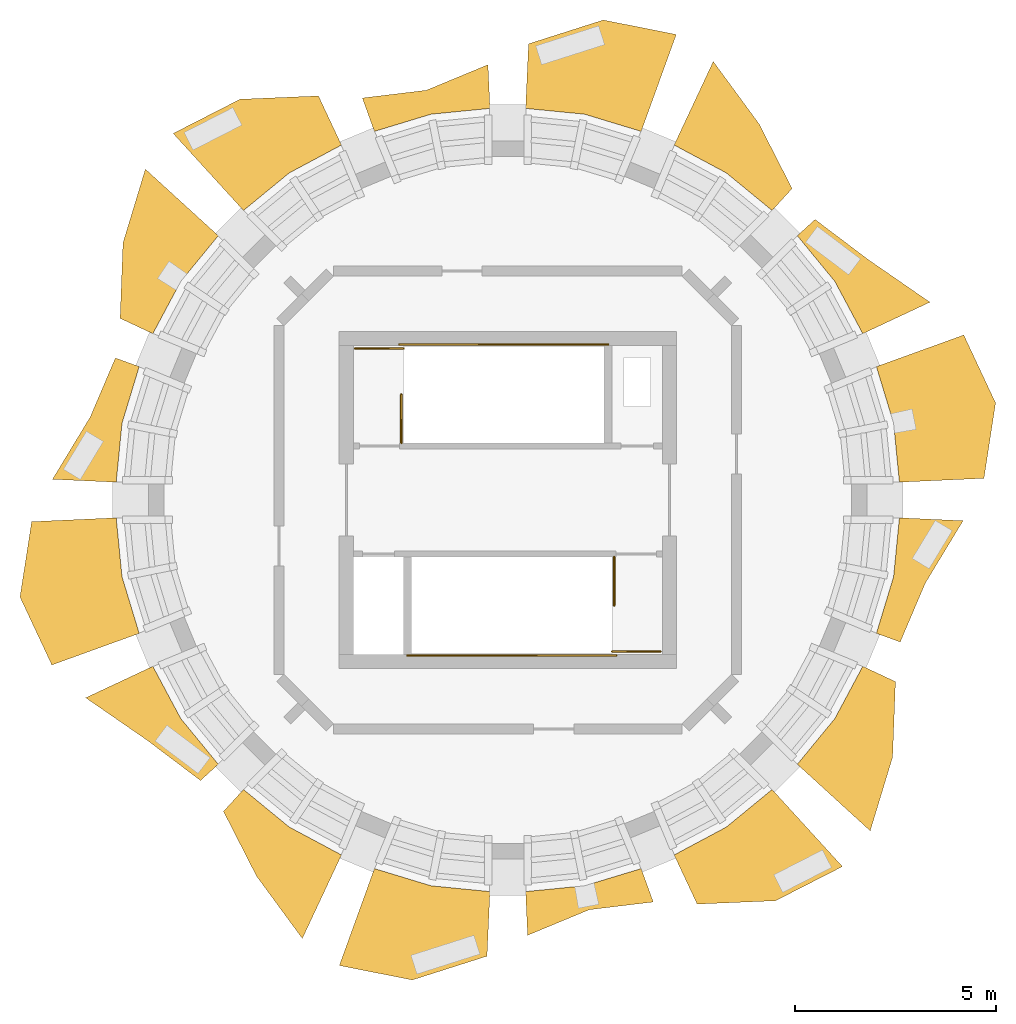
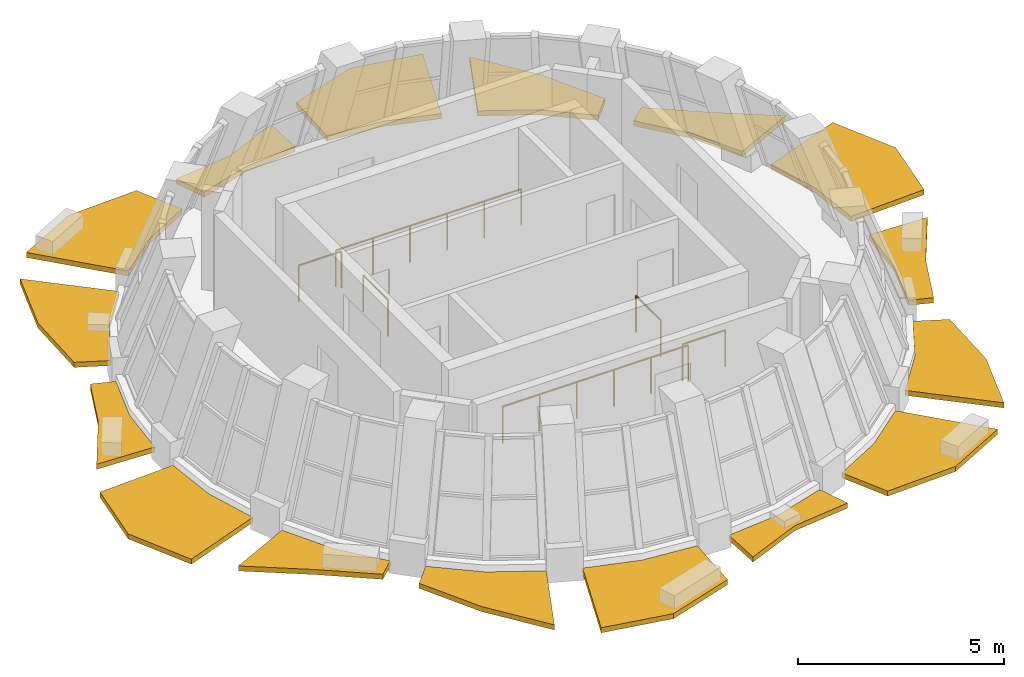
# One storey, part 7 of 8: 16 shading devices, 6 railings.
"""IFC4 building model written with IfcOpenShell, lengths in metres."""

from ifc_helpers import new_model, si_unit, direction, frame, origin, origin_2d, place, context, subcontext, project, spatial, polyline, circle, outline, extrude, material, type_object, element, save


model = new_model("IFC4")

# Units and contexts
model_context = context("Model", 3, precision=1e-05, world=origin(), true_north=direction((0.0, 1.0)))
body_context = subcontext(model_context, "Body", "Model", "MODEL_VIEW")
ifc_project = project(units=[si_unit("LENGTHUNIT", "METRE"), si_unit("AREAUNIT", "SQUARE_METRE"), si_unit("VOLUMEUNIT", "CUBIC_METRE"), si_unit("PLANEANGLEUNIT", "RADIAN"), si_unit("MASSUNIT", "GRAM", prefix="KILO")], contexts=[model_context])

# Site, building, storey
site_placement = place(None, origin())
site = spatial("IfcSite", under=ifc_project, at=site_placement, CompositionType="ELEMENT")
building_placement = place(site_placement, origin())
building = spatial("IfcBuilding", under=site, at=building_placement, Name="Polderwave Tower", CompositionType="ELEMENT")
storey_placement = place(building_placement, frame((0.0, 0.0, 244.39990234375)))
storey = spatial("IfcBuildingStorey", under=building, at=storey_placement, Name="L66", CompositionType="ELEMENT", Elevation=244.39990234375)

# Railings
ifc_material_1 = material(Name="Stainless steel", Category="steel")
railing_type = type_object("IfcRailingType", Name="Stair guard 1100", PredefinedType="GUARDRAIL", material=ifc_material_1)
railing_1_placement = place(storey_placement, frame((-2.64990234375, 1.425048828125, 0.0)))
element("IfcRailing", 1, at=railing_1_placement, inside=storey, type_object=railing_type, Name="L66 ST-S1 top well guard 1", PredefinedType="GUARDRAIL", context=body_context, shape_type="SweptSolid", body=[
    extrude(circle(Radius=0.02392578125, at=origin_2d()), frame((0.0, 0.0, 1.076171875), z_axis=(0.0, 1.0, 0.0), x_axis=(-1.0, 0.0, 0.0)), (0.0, 0.0, 1.0), 1.199951171875),
    extrude(circle(Radius=0.02099609375, at=origin_2d()), origin(), (0.0, 0.0, 1.0), 1.052001953125),
    extrude(circle(Radius=0.02099609375, at=origin_2d()), frame((0.0, 1.199951171875, 0.0)), (0.0, 0.0, 1.0), 1.052001953125),
])
railing_2_placement = place(storey_placement, frame((-2.699951171875, 3.875, 0.0)))
element("IfcRailing", 2, at=railing_2_placement, inside=storey, type_object=railing_type, Name="L66 ST-S1 top well guard 2", PredefinedType="GUARDRAIL", context=body_context, shape_type="SweptSolid", body=[
    extrude(circle(Radius=0.02392578125, at=origin_2d()), frame((0.0, 0.0, 1.076171875), z_axis=(1.0, 0.0, 0.0), x_axis=(0.0, 1.0, 0.0)), (0.0, 0.0, 1.0), 5.199951171875),
    extrude(circle(Radius=0.02099609375, at=origin_2d()), origin(), (0.0, 0.0, 1.0), 1.052001953125),
    extrude(circle(Radius=0.02099609375, at=origin_2d()), frame((1.0400390625, 0.0, 0.0)), (0.0, 0.0, 1.0), 1.052001953125),
    extrude(circle(Radius=0.02099609375, at=origin_2d()), frame((2.080078125, 0.0, 0.0)), (0.0, 0.0, 1.0), 1.052001953125),
    extrude(circle(Radius=0.02099609375, at=origin_2d()), frame((3.119873046875, 0.0, 0.0)), (0.0, 0.0, 1.0), 1.052001953125),
    extrude(circle(Radius=0.02099609375, at=origin_2d()), frame((4.159912109375, 0.0, 0.0)), (0.0, 0.0, 1.0), 1.052001953125),
    extrude(circle(Radius=0.02099609375, at=origin_2d()), frame((5.199951171875, 0.0, 0.0)), (0.0, 0.0, 1.0), 1.052001953125),
])
railing_3_placement = place(storey_placement, frame((-3.800048828125, 3.77490234375, 0.0)))
element("IfcRailing", 3, at=railing_3_placement, inside=storey, type_object=railing_type, Name="L66 ST-S1 top well guard 3", PredefinedType="GUARDRAIL", context=body_context, shape_type="SweptSolid", body=[
    extrude(circle(Radius=0.02392578125, at=origin_2d()), frame((0.0, 0.0, 1.076171875), z_axis=(1.0, 0.0, 0.0), x_axis=(0.0, 1.0, 0.0)), (0.0, 0.0, 1.0), 1.199951171875),
    extrude(circle(Radius=0.02099609375, at=origin_2d()), origin(), (0.0, 0.0, 1.0), 1.052001953125),
    extrude(circle(Radius=0.02099609375, at=origin_2d()), frame((1.199951171875, 0.0, 0.0)), (0.0, 0.0, 1.0), 1.052001953125),
])
railing_4_placement = place(storey_placement, frame((2.64990234375, -1.425048828125, 0.0)))
element("IfcRailing", 4, at=railing_4_placement, inside=storey, type_object=railing_type, Name="L66 ST-S2 top well guard 1", PredefinedType="GUARDRAIL", context=body_context, shape_type="SweptSolid", body=[
    extrude(circle(Radius=0.02392578125, at=origin_2d()), frame((0.0, 0.0, 1.076171875), z_axis=(0.0, -1.0, 0.0), x_axis=(1.0, 0.0, 0.0)), (0.0, 0.0, 1.0), 1.199951171875),
    extrude(circle(Radius=0.02099609375, at=origin_2d()), origin(), (0.0, 0.0, 1.0), 1.052001953125),
    extrude(circle(Radius=0.02099609375, at=origin_2d()), frame((0.0, -1.199951171875, 0.0)), (0.0, 0.0, 1.0), 1.052001953125),
])
railing_5_placement = place(storey_placement, frame((2.699951171875, -3.875, 0.0)))
element("IfcRailing", 5, at=railing_5_placement, inside=storey, type_object=railing_type, Name="L66 ST-S2 top well guard 2", PredefinedType="GUARDRAIL", context=body_context, shape_type="SweptSolid", body=[
    extrude(circle(Radius=0.02392578125, at=origin_2d()), frame((0.0, 0.0, 1.076171875), z_axis=(-1.0, 0.0, 0.0), x_axis=(0.0, -1.0, 0.0)), (0.0, 0.0, 1.0), 5.199951171875),
    extrude(circle(Radius=0.02099609375, at=origin_2d()), origin(), (0.0, 0.0, 1.0), 1.052001953125),
    extrude(circle(Radius=0.02099609375, at=origin_2d()), frame((-1.0400390625, 0.0, 0.0)), (0.0, 0.0, 1.0), 1.052001953125),
    extrude(circle(Radius=0.02099609375, at=origin_2d()), frame((-2.080078125, 0.0, 0.0)), (0.0, 0.0, 1.0), 1.052001953125),
    extrude(circle(Radius=0.02099609375, at=origin_2d()), frame((-3.119873046875, 0.0, 0.0)), (0.0, 0.0, 1.0), 1.052001953125),
    extrude(circle(Radius=0.02099609375, at=origin_2d()), frame((-4.159912109375, 0.0, 0.0)), (0.0, 0.0, 1.0), 1.052001953125),
    extrude(circle(Radius=0.02099609375, at=origin_2d()), frame((-5.199951171875, 0.0, 0.0)), (0.0, 0.0, 1.0), 1.052001953125),
])
railing_6_placement = place(storey_placement, frame((3.800048828125, -3.77490234375, 0.0)))
element("IfcRailing", 6, at=railing_6_placement, inside=storey, type_object=railing_type, Name="L66 ST-S2 top well guard 3", PredefinedType="GUARDRAIL", context=body_context, shape_type="SweptSolid", body=[
    extrude(circle(Radius=0.02392578125, at=origin_2d()), frame((0.0, 0.0, 1.076171875), z_axis=(-1.0, 0.0, 0.0), x_axis=(0.0, -1.0, 0.0)), (0.0, 0.0, 1.0), 1.199951171875),
    extrude(circle(Radius=0.02099609375, at=origin_2d()), origin(), (0.0, 0.0, 1.0), 1.052001953125),
    extrude(circle(Radius=0.02099609375, at=origin_2d()), frame((-1.199951171875, 0.0, 0.0)), (0.0, 0.0, 1.0), 1.052001953125),
])

# Shading devices
ifc_material_2 = material(Name="Terracotta", Category="masonry")
shading_device_type = type_object("IfcShadingDeviceType", Name="Terracotta sunshade band", PredefinedType="USERDEFINED", material=ifc_material_2)
shading_device_1_placement = place(storey_placement, frame((0.0, 0.0, -0.349853515625)))
element("IfcShadingDevice", 7, at=shading_device_1_placement, inside=storey, type_object=shading_device_type, Name="Sunshade band L66 1", ObjectType="SUNSHADE", PredefinedType="USERDEFINED", context=body_context, shape_type="SweptSolid", body=[
    extrude(outline(polyline([(9.75634765625, 0.44384765625), (9.61181640625, 1.911865234375), (9.18359375, 3.323486328125), (11.360107421875, 4.111083984375), (12.1533203125, 2.41748046875), (11.863525390625, 0.539794921875), (9.75634765625, 0.44384765625)])), origin(), (0.0, 0.0, 1.0), 0.14990234375),
])
shading_device_2_placement = place(storey_placement, frame((0.0, 0.0, -0.349853515625)))
element("IfcShadingDevice", 8, at=shading_device_2_placement, inside=storey, type_object=shading_device_type, Name="Sunshade band L66 2", ObjectType="SUNSHADE", PredefinedType="USERDEFINED", context=body_context, shape_type="SweptSolid", body=[
    extrude(outline(polyline([(8.84375, 4.1435546875), (8.1484375, 5.444580078125), (7.212646484375, 6.5849609375), (7.65576171875, 6.989501953125), (8.97265625, 5.995361328125), (10.517333984375, 4.927734375), (8.84375, 4.1435546875)])), origin(), (0.0, 0.0, 1.0), 0.14990234375),
])
shading_device_3_placement = place(storey_placement, frame((0.0, 0.0, -0.349853515625)))
element("IfcShadingDevice", 9, at=shading_device_3_placement, inside=storey, type_object=shading_device_type, Name="Sunshade band L66 3", ObjectType="SUNSHADE", PredefinedType="USERDEFINED", context=body_context, shape_type="SweptSolid", body=[
    extrude(outline(polyline([(6.5849609375, 7.212646484375), (5.444580078125, 8.1484375), (4.1435546875, 8.84375), (5.119140625, 10.92578125), (6.260986328125, 9.3701171875), (7.08349609375, 7.7587890625), (6.5849609375, 7.212646484375)])), origin(), (0.0, 0.0, 1.0), 0.14990234375),
])
shading_device_4_placement = place(storey_placement, frame((0.0, 0.0, -0.349853515625)))
element("IfcShadingDevice", 10, at=shading_device_4_placement, inside=storey, type_object=shading_device_type, Name="Sunshade band L66 4", ObjectType="SUNSHADE", PredefinedType="USERDEFINED", context=body_context, shape_type="SweptSolid", body=[
    extrude(outline(polyline([(3.323486328125, 9.18359375), (1.911865234375, 9.61181640625), (0.44384765625, 9.75634765625), (0.51708984375, 11.365478515625), (2.37890625, 11.958984375), (4.197509765625, 11.598876953125), (3.323486328125, 9.18359375)])), origin(), (0.0, 0.0, 1.0), 0.14990234375),
])
shading_device_5_placement = place(storey_placement, frame((0.0, 0.0, -0.349853515625)))
element("IfcShadingDevice", 11, at=shading_device_5_placement, inside=storey, type_object=shading_device_type, Name="Sunshade band L66 5", ObjectType="SUNSHADE", PredefinedType="USERDEFINED", context=body_context, shape_type="SweptSolid", body=[
    extrude(outline(polyline([(-0.44384765625, 9.75634765625), (-1.911865234375, 9.61181640625), (-3.323486328125, 9.18359375), (-3.624755859375, 10.015869140625), (-2.030517578125, 10.20849609375), (-0.493408203125, 10.845703125), (-0.44384765625, 9.75634765625)])), origin(), (0.0, 0.0, 1.0), 0.14990234375),
])
shading_device_6_placement = place(storey_placement, frame((0.0, 0.0, -0.349853515625)))
element("IfcShadingDevice", 12, at=shading_device_6_placement, inside=storey, type_object=shading_device_type, Name="Sunshade band L66 6", ObjectType="SUNSHADE", PredefinedType="USERDEFINED", context=body_context, shape_type="SweptSolid", body=[
    extrude(outline(polyline([(-4.1435546875, 8.84375), (-5.444580078125, 8.1484375), (-6.5849609375, 7.212646484375), (-8.337890625, 9.1328125), (-6.671630859375, 9.98486328125), (-4.71728515625, 10.06787109375), (-4.1435546875, 8.84375)])), origin(), (0.0, 0.0, 1.0), 0.14990234375),
])
shading_device_7_placement = place(storey_placement, frame((0.0, 0.0, -0.349853515625)))
element("IfcShadingDevice", 13, at=shading_device_7_placement, inside=storey, type_object=shading_device_type, Name="Sunshade band L66 7", ObjectType="SUNSHADE", PredefinedType="USERDEFINED", context=body_context, shape_type="SweptSolid", body=[
    extrude(outline(polyline([(-7.212646484375, 6.5849609375), (-8.1484375, 5.444580078125), (-8.84375, 4.1435546875), (-9.659423828125, 4.52587890625), (-9.58740234375, 6.406005859375), (-9.02978515625, 8.243896484375), (-7.212646484375, 6.5849609375)])), origin(), (0.0, 0.0, 1.0), 0.14990234375),
])
shading_device_8_placement = place(storey_placement, frame((0.0, 0.0, -0.349853515625)))
element("IfcShadingDevice", 14, at=shading_device_8_placement, inside=storey, type_object=shading_device_type, Name="Sunshade band L66 8", ObjectType="SUNSHADE", PredefinedType="USERDEFINED", context=body_context, shape_type="SweptSolid", body=[
    extrude(outline(polyline([(-9.18359375, 3.323486328125), (-9.61181640625, 1.911865234375), (-9.75634765625, 0.44384765625), (-11.34375, 0.51611328125), (-10.40283203125, 2.0693359375), (-9.777099609375, 3.538330078125), (-9.18359375, 3.323486328125)])), origin(), (0.0, 0.0, 1.0), 0.14990234375),
])
shading_device_9_placement = place(storey_placement, frame((0.0, 0.0, -0.349853515625)))
element("IfcShadingDevice", 15, at=shading_device_9_placement, inside=storey, type_object=shading_device_type, Name="Sunshade band L66 9", ObjectType="SUNSHADE", PredefinedType="USERDEFINED", context=body_context, shape_type="SweptSolid", body=[
    extrude(outline(polyline([(-9.75634765625, -0.44384765625), (-9.61181640625, -1.911865234375), (-9.18359375, -3.323486328125), (-11.360107421875, -4.111083984375), (-12.1533203125, -2.41748046875), (-11.863525390625, -0.539794921875), (-9.75634765625, -0.44384765625)])), origin(), (0.0, 0.0, 1.0), 0.14990234375),
])
shading_device_10_placement = place(storey_placement, frame((0.0, 0.0, -0.349853515625)))
element("IfcShadingDevice", 16, at=shading_device_10_placement, inside=storey, type_object=shading_device_type, Name="Sunshade band L66 10", ObjectType="SUNSHADE", PredefinedType="USERDEFINED", context=body_context, shape_type="SweptSolid", body=[
    extrude(outline(polyline([(-8.84375, -4.1435546875), (-8.1484375, -5.444580078125), (-7.212646484375, -6.5849609375), (-7.65576171875, -6.989501953125), (-8.97265625, -5.995361328125), (-10.517333984375, -4.927734375), (-8.84375, -4.1435546875)])), origin(), (0.0, 0.0, 1.0), 0.14990234375),
])
shading_device_11_placement = place(storey_placement, frame((0.0, 0.0, -0.349853515625)))
element("IfcShadingDevice", 17, at=shading_device_11_placement, inside=storey, type_object=shading_device_type, Name="Sunshade band L66 11", ObjectType="SUNSHADE", PredefinedType="USERDEFINED", context=body_context, shape_type="SweptSolid", body=[
    extrude(outline(polyline([(-6.5849609375, -7.212646484375), (-5.444580078125, -8.1484375), (-4.1435546875, -8.84375), (-5.119140625, -10.92578125), (-6.260986328125, -9.3701171875), (-7.08349609375, -7.7587890625), (-6.5849609375, -7.212646484375)])), origin(), (0.0, 0.0, 1.0), 0.14990234375),
])
shading_device_12_placement = place(storey_placement, frame((0.0, 0.0, -0.349853515625)))
element("IfcShadingDevice", 18, at=shading_device_12_placement, inside=storey, type_object=shading_device_type, Name="Sunshade band L66 12", ObjectType="SUNSHADE", PredefinedType="USERDEFINED", context=body_context, shape_type="SweptSolid", body=[
    extrude(outline(polyline([(-3.323486328125, -9.18359375), (-1.911865234375, -9.61181640625), (-0.44384765625, -9.75634765625), (-0.51708984375, -11.365478515625), (-2.37890625, -11.958984375), (-4.197509765625, -11.598876953125), (-3.323486328125, -9.18359375)])), origin(), (0.0, 0.0, 1.0), 0.14990234375),
])
shading_device_13_placement = place(storey_placement, frame((0.0, 0.0, -0.349853515625)))
element("IfcShadingDevice", 19, at=shading_device_13_placement, inside=storey, type_object=shading_device_type, Name="Sunshade band L66 13", ObjectType="SUNSHADE", PredefinedType="USERDEFINED", context=body_context, shape_type="SweptSolid", body=[
    extrude(outline(polyline([(0.44384765625, -9.75634765625), (1.911865234375, -9.61181640625), (3.323486328125, -9.18359375), (3.624755859375, -10.015869140625), (2.030517578125, -10.20849609375), (0.493408203125, -10.845703125), (0.44384765625, -9.75634765625)])), origin(), (0.0, 0.0, 1.0), 0.14990234375),
])
shading_device_14_placement = place(storey_placement, frame((0.0, 0.0, -0.349853515625)))
element("IfcShadingDevice", 20, at=shading_device_14_placement, inside=storey, type_object=shading_device_type, Name="Sunshade band L66 14", ObjectType="SUNSHADE", PredefinedType="USERDEFINED", context=body_context, shape_type="SweptSolid", body=[
    extrude(outline(polyline([(4.1435546875, -8.84375), (5.444580078125, -8.1484375), (6.5849609375, -7.212646484375), (8.337890625, -9.1328125), (6.671630859375, -9.98486328125), (4.71728515625, -10.06787109375), (4.1435546875, -8.84375)])), origin(), (0.0, 0.0, 1.0), 0.14990234375),
])
shading_device_15_placement = place(storey_placement, frame((0.0, 0.0, -0.349853515625)))
element("IfcShadingDevice", 21, at=shading_device_15_placement, inside=storey, type_object=shading_device_type, Name="Sunshade band L66 15", ObjectType="SUNSHADE", PredefinedType="USERDEFINED", context=body_context, shape_type="SweptSolid", body=[
    extrude(outline(polyline([(7.212646484375, -6.5849609375), (8.1484375, -5.444580078125), (8.84375, -4.1435546875), (9.659423828125, -4.52587890625), (9.58740234375, -6.406005859375), (9.02978515625, -8.243896484375), (7.212646484375, -6.5849609375)])), origin(), (0.0, 0.0, 1.0), 0.14990234375),
])
shading_device_16_placement = place(storey_placement, frame((0.0, 0.0, -0.349853515625)))
element("IfcShadingDevice", 22, at=shading_device_16_placement, inside=storey, type_object=shading_device_type, Name="Sunshade band L66 16", ObjectType="SUNSHADE", PredefinedType="USERDEFINED", context=body_context, shape_type="SweptSolid", body=[
    extrude(outline(polyline([(9.18359375, -3.323486328125), (9.61181640625, -1.911865234375), (9.75634765625, -0.44384765625), (11.34375, -0.51611328125), (10.40283203125, -2.0693359375), (9.777099609375, -3.538330078125), (9.18359375, -3.323486328125)])), origin(), (0.0, 0.0, 1.0), 0.14990234375),
])

save(model, "model.ifc")
